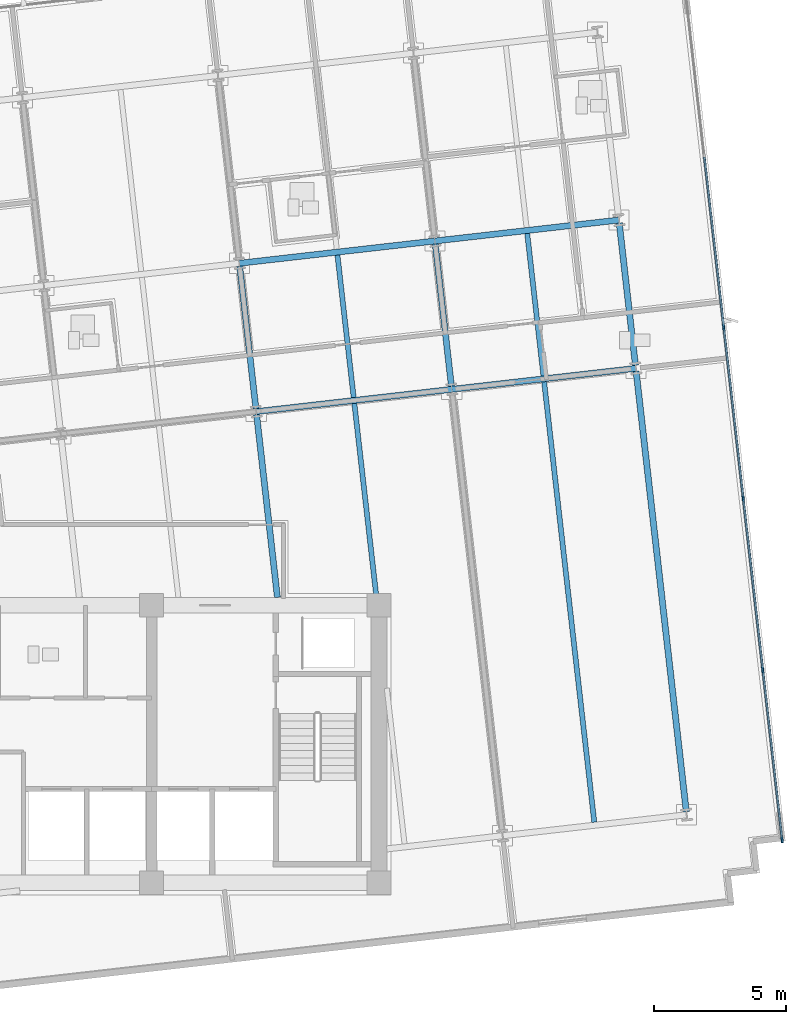
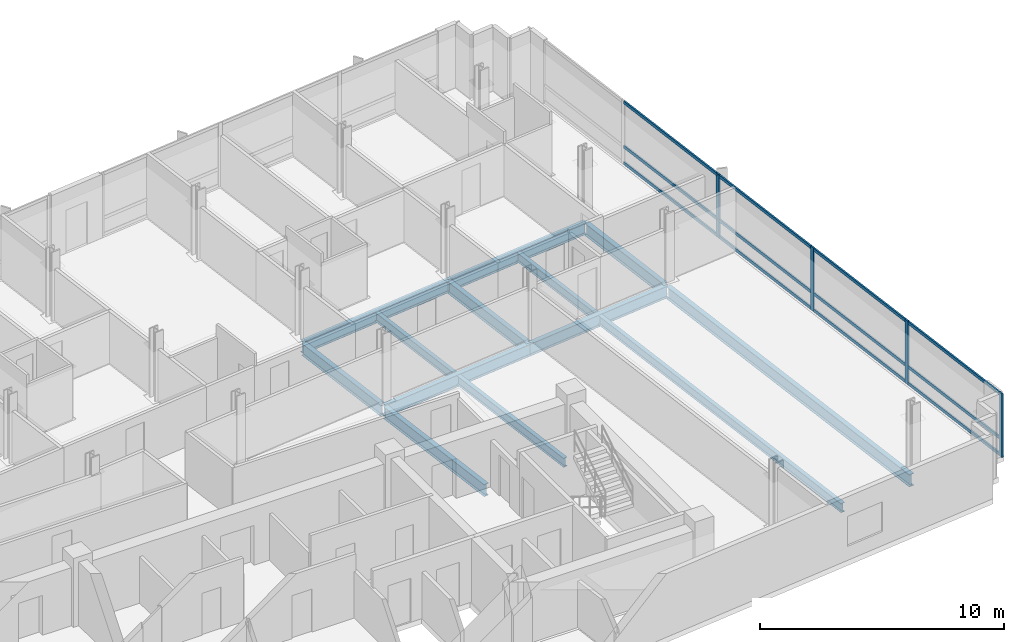
# One storey, part 4 of 17: 16 members, 13 beams, 1 element without a shape of its own.
"""IFC4 building model written with IfcOpenShell, lengths in metres."""

import ifcopenshell
import ifcopenshell.guid

model = None  # the IFC model being written
_history = None  # IfcOwnerHistory: only IFC2X3 demands one
_inside = {}  # id of a spatial element -> (the spatial element, [elements in it])
_under = {}  # id of a project, library or spatial element -> (it, [spatial elements below it])
_declared = {}  # id of a project -> (the project, [libraries it declares])
_typed = {}  # id of a type object -> (the type object, [elements of that type])
_made_of = {}  # id of a material, layer set ... -> (it, [elements and type objects made of it])


def new_model(schema):
    """Start an empty IFC model of exactly this schema.

    Asked for "IFC4X3", IfcOpenShell would pick the latest addendum, in which some entities
    have other attributes; the version numbers below select the first issue.
    IFC2X3 requires an IfcOwnerHistory on every rooted entity: one is made here for all.
    """
    global model, _history
    if schema == "IFC4X3":
        model = ifcopenshell.file(schema_version=(4, 3, 0, 0))
    else:
        model = ifcopenshell.file(schema=schema)
    _inside.clear()
    _under.clear()
    _declared.clear()
    _typed.clear()
    _made_of.clear()
    _history = None
    if model.schema == "IFC2X3":
        org = make("IfcOrganization", Name="unknown")
        user = make(
            "IfcPersonAndOrganization",
            ThePerson=make("IfcPerson", FamilyName="unknown"),
            TheOrganization=org,
        )
        app = make(
            "IfcApplication",
            ApplicationDeveloper=org,
            Version="unknown",
            ApplicationFullName="unknown",
            ApplicationIdentifier="unknown",
        )
        _history = make(
            "IfcOwnerHistory",
            OwningUser=user,
            OwningApplication=app,
            ChangeAction="ADDED",
            CreationDate=0,
        )
    return model


def make(cls, **values):
    """One entity of the class cls with the attributes given. An attribute that is None is left unset."""
    return model.create_entity(
        cls, **{name: value for name, value in values.items() if value is not None}
    )


def rooted(cls, **values):
    """An entity with a GlobalId (a new one), such as an element, a storey or a relation."""
    return make(cls, GlobalId=ifcopenshell.guid.new(), OwnerHistory=_history, **values)


def si_unit(unit_type, name, prefix=None):
    """IfcSIUnit, for example si_unit("LENGTHUNIT", "METRE", prefix="MILLI")."""
    return make("IfcSIUnit", UnitType=unit_type, Prefix=prefix, Name=name)


def assignment(units):
    """IfcUnitAssignment: the units of a project."""
    return None if units is None else make("IfcUnitAssignment", Units=units)


def point(xyz):
    """IfcCartesianPoint."""
    return None if xyz is None else make("IfcCartesianPoint", Coordinates=xyz)


def direction(xyz):
    """IfcDirection."""
    return None if xyz is None else make("IfcDirection", DirectionRatios=xyz)


def frame(location, z_axis=None, x_axis=None):
    """IfcAxis2Placement3D, a coordinate frame: its origin and axes. An axis left out is left unset."""
    return make(
        "IfcAxis2Placement3D",
        Location=point(location),
        Axis=direction(z_axis),
        RefDirection=direction(x_axis),
    )


def frame_2d(location, x_axis=None):
    """IfcAxis2Placement2D, a coordinate frame in the plane: its origin and x axis."""
    return make(
        "IfcAxis2Placement2D", Location=point(location), RefDirection=direction(x_axis)
    )


def origin():
    """The frame at (0, 0, 0) with its axes left unset."""
    return frame((0.0, 0.0, 0.0))


def origin_2d():
    """The frame at (0, 0) in the plane with its x axis left unset."""
    return frame_2d((0.0, 0.0))


def place(relative_to, where):
    """IfcLocalPlacement: puts the frame where relative to a parent placement (None: the world)."""
    return make(
        "IfcLocalPlacement", PlacementRelTo=relative_to, RelativePlacement=where
    )


def context(
    kind, dimensions, precision=None, world=None, true_north=None, identifier=None
):
    """IfcGeometricRepresentationContext, for example the 3D "Model" context."""
    return make(
        "IfcGeometricRepresentationContext",
        ContextIdentifier=identifier,
        ContextType=kind,
        CoordinateSpaceDimension=dimensions,
        Precision=precision,
        WorldCoordinateSystem=world,
        TrueNorth=true_north,
    )


def subcontext(parent, identifier, kind, view, scale=None):
    """IfcGeometricRepresentationSubContext, for example "Body" below "Model"."""
    return make(
        "IfcGeometricRepresentationSubContext",
        ContextIdentifier=identifier,
        ContextType=kind,
        ParentContext=parent,
        TargetScale=scale,
        TargetView=view,
    )


def project(units=None, contexts=None):
    """IfcProject with its units and contexts."""
    return rooted(
        "IfcProject",
        Name="project",
        RepresentationContexts=contexts,
        UnitsInContext=assignment(units),
    )


def spatial(cls, under=None, at=None, **own):
    """A site, building, storey or space (cls), placed at a placement, below another one or the project."""
    s = rooted(cls, ObjectPlacement=at, **own)
    if under is not None:
        _under.setdefault(under.id(), (under, []))[1].append(s)
    return s


def profile(cls, at=None, kind="AREA", **sizes):
    """A parametric profile (cls). Its sizes go by their IFC names, for example OverallWidth=200.0."""
    return make(cls, ProfileType=kind, Position=at, **sizes)


def rectangle(**sizes):
    """IfcRectangleProfileDef."""
    return profile("IfcRectangleProfileDef", **sizes)


def i_section(**sizes):
    """IfcIShapeProfileDef."""
    return profile("IfcIShapeProfileDef", **sizes)


def extrude(swept, where, along, depth):
    """IfcExtrudedAreaSolid: the profile swept, set in the frame where, extruded along a direction by depth."""
    return make(
        "IfcExtrudedAreaSolid",
        SweptArea=swept,
        Position=where,
        ExtrudedDirection=direction(along),
        Depth=depth,
    )


def shape(context_of_items, identifier, shape_type, items):
    """IfcShapeRepresentation: the items that make up one representation, for example the "Body"."""
    return make(
        "IfcShapeRepresentation",
        ContextOfItems=context_of_items,
        RepresentationIdentifier=identifier,
        RepresentationType=shape_type,
        Items=items,
    )


def material(Name=None, Category=None):
    """IfcMaterial."""
    return make("IfcMaterial", Name=Name, Category=Category)


def material_profile(
    of_material, cross_section, Name=None, Category=None, Priority=None
):
    """IfcMaterialProfile: a cross section and its material."""
    return make(
        "IfcMaterialProfile",
        Name=Name,
        Material=of_material,
        Profile=cross_section,
        Priority=Priority,
        Category=Category,
    )


def profile_set(profiles, Name=None, composite=None):
    """IfcMaterialProfileSet."""
    return make(
        "IfcMaterialProfileSet",
        Name=Name,
        MaterialProfiles=profiles,
        CompositeProfile=composite,
    )


def made_of(thing, what):
    """Note that an element or type object is made of a material, layer set ...; save() writes the relation."""
    if what is not None:
        _made_of.setdefault(what.id(), (what, []))[1].append(thing)
    return thing


def type_object(cls, material=None, **own):
    """A type object (cls), such as IfcWallType, which elements share."""
    return made_of(rooted(cls, **own), material)


def element(
    cls,
    number,
    at=None,
    inside=None,
    cuts=None,
    type_object=None,
    material=None,
    context=None,
    identifier="Body",
    shape_type=None,
    held_by="IfcProductDefinitionShape",
    body=None,
    shapes=None,
    **own,
):
    """One element of the class cls, such as IfcWall. Its Tag is "e" and its number.

    at: its placement. inside: the storey or other place that contains it. cuts: it is an
    opening in that element (IfcRelVoidsElement). A single representation is given by context,
    identifier, shape_type and body (its items); several are given by shapes. held_by: the class
    of the entity that holds the representations. save() writes the other relations.
    """
    e = rooted(cls, Tag="e%d" % number, ObjectPlacement=at, **own)
    if body is not None:
        shapes = [shape(context, identifier, shape_type, body)]
    if shapes is not None:
        e.Representation = make(held_by, Representations=shapes)
    if inside is not None:
        _inside.setdefault(inside.id(), (inside, []))[1].append(e)
    if cuts is not None:
        rooted(
            "IfcRelVoidsElement", RelatingBuildingElement=cuts, RelatedOpeningElement=e
        )
    if type_object is not None:
        _typed.setdefault(type_object.id(), (type_object, []))[1].append(e)
    return made_of(e, material)


def aggregate(whole, parts):
    """IfcRelAggregates: a whole, such as a stair, and the parts it consists of."""
    return rooted("IfcRelAggregates", RelatingObject=whole, RelatedObjects=parts)


def save(model, path):
    """Write the relations noted so far, then the file.

    IfcRelAggregates (storeys below a building ...), IfcRelContainedInSpatialStructure (elements
    in a storey), IfcRelDefinesByType, IfcRelAssociatesMaterial and IfcRelDeclares: one each for
    every whole, place, type object, material and project.
    """
    for whole, parts in _under.values():
        aggregate(whole, parts)
    for where, things in _inside.values():
        rooted(
            "IfcRelContainedInSpatialStructure",
            RelatedElements=things,
            RelatingStructure=where,
        )
    for kind, things in _typed.values():
        rooted("IfcRelDefinesByType", RelatedObjects=things, RelatingType=kind)
    for what, things in _made_of.values():
        rooted("IfcRelAssociatesMaterial", RelatedObjects=things, RelatingMaterial=what)
    for by, libraries in _declared.values():
        rooted("IfcRelDeclares", RelatingContext=by, RelatedDefinitions=libraries)
    model.write(path)


model = new_model("IFC4")

# Units and contexts
model_context = context("Model", 3, precision=1e-05, world=origin(), true_north=direction((0.0, 1.0)))
body_context = subcontext(model_context, "Body", "Model", "MODEL_VIEW")
ifc_project = project(units=[si_unit("LENGTHUNIT", "METRE"), si_unit("AREAUNIT", "SQUARE_METRE"), si_unit("VOLUMEUNIT", "CUBIC_METRE"), si_unit("PLANEANGLEUNIT", "RADIAN"), si_unit("MASSUNIT", "GRAM", prefix="KILO")], contexts=[model_context])

# Site, building, storey
site_placement = place(None, origin())
site = spatial("IfcSite", under=ifc_project, at=site_placement, CompositionType="ELEMENT")
building_placement = place(site_placement, origin())
building = spatial("IfcBuilding", under=site, at=building_placement, Name="Solmavex Isthmus Hotel", CompositionType="ELEMENT")
storey_placement = place(building_placement, frame((0.0, 0.0, 195.14990234375)))
storey = spatial("IfcBuildingStorey", under=building, at=storey_placement, Name="L52", CompositionType="ELEMENT", Elevation=195.14990234375)

# Beams
ifc_material_1 = material(Name="Steel ASTM A992 Grade 50", Category="steel")
ifc_material_profile_1 = material_profile(ifc_material_1, i_section(OverallWidth=0.1904296875, OverallDepth=0.456787109375, WebThickness=0.009033203125, FlangeThickness=0.014404296875, FilletRadius=0.0126953125, at=origin_2d()), Name="W18X50")
ifc_profile_set_1 = profile_set([ifc_material_profile_1], Name="Steel ASTM A992 Grade 50")
beam_type_1 = type_object("IfcBeamType", Name="BM-BJ-W18X50", PredefinedType="JOIST", material=ifc_profile_set_1)
beam_1_placement = place(storey_placement, frame((15.908447265625, -2.199951171875, -0.48828125), z_axis=(-0.113224925382, 0.99356938171, 0.0), x_axis=(-0.99356938171, -0.113224925382, 0.0)))
element("IfcBeam", 1, at=beam_1_placement, inside=storey, type_object=beam_type_1, Name="Secondary Floor Joist L52-J16", PredefinedType="JOIST", context=body_context, shape_type="SweptSolid", body=[
    extrude(i_section(OverallWidth=0.1904296875, OverallDepth=0.456787109375, WebThickness=0.009033203125, FlangeThickness=0.014404296875, FilletRadius=0.0126953125, at=origin_2d()), origin(), (0.0, 0.0, 1.0), 7.38525390625),
])
beam_2_placement = place(storey_placement, frame((15.046630859375, 5.364013671875, -0.48828125), z_axis=(-0.113189626161, 0.993573403695, 0.0), x_axis=(-0.993573403695, -0.113189626161, 0.0)))
element("IfcBeam", 2, at=beam_2_placement, inside=storey, type_object=beam_type_1, Name="Secondary Floor Joist L52-J17", PredefinedType="JOIST", context=body_context, shape_type="SweptSolid", body=[
    extrude(i_section(OverallWidth=0.1904296875, OverallDepth=0.456787109375, WebThickness=0.009033203125, FlangeThickness=0.014404296875, FilletRadius=0.0126953125, at=origin_2d()), origin(), (0.0, 0.0, 1.0), 5.42041015625),
])
beam_3_placement = place(storey_placement, frame((24.1513671875, -10.707275390625, -0.48828125), z_axis=(-0.113198426291, 0.993572401129, 0.0), x_axis=(-0.993572401129, -0.113198426291, 0.0)))
element("IfcBeam", 3, at=beam_3_placement, inside=storey, type_object=beam_type_1, Name="Secondary Floor Joist L52-J19", PredefinedType="JOIST", context=body_context, shape_type="SweptSolid", body=[
    extrude(i_section(OverallWidth=0.1904296875, OverallDepth=0.456787109375, WebThickness=0.009033203125, FlangeThickness=0.014404296875, FilletRadius=0.0126953125, at=origin_2d()), origin(), (0.0, 0.0, 1.0), 16.77099609375),
])
beam_4_placement = place(storey_placement, frame((22.22705078125, 6.18212890625, -0.48828125), z_axis=(-0.113189626161, 0.993573403695, 0.0), x_axis=(-0.993573403695, -0.113189626161, 0.0)))
element("IfcBeam", 4, at=beam_4_placement, inside=storey, type_object=beam_type_1, Name="Secondary Floor Joist L52-J20", PredefinedType="JOIST", context=body_context, shape_type="SweptSolid", body=[
    extrude(i_section(OverallWidth=0.1904296875, OverallDepth=0.456787109375, WebThickness=0.009033203125, FlangeThickness=0.014404296875, FilletRadius=0.0126953125, at=origin_2d()), origin(), (0.0, 0.0, 1.0), 5.42041015625),
])
ifc_material_profile_2 = material_profile(ifc_material_1, i_section(OverallWidth=0.227783203125, OverallDepth=0.602783203125, WebThickness=0.010498046875, FlangeThickness=0.014892578125, FilletRadius=0.01513671875, at=origin_2d()), Name="W24X68")
ifc_profile_set_2 = profile_set([ifc_material_profile_2], Name="Steel ASTM A992 Grade 50")
beam_type_2 = type_object("IfcBeamType", Name="BM-BM-W24X68", PredefinedType="BEAM", material=ifc_profile_set_2)
beam_5_placement = place(storey_placement, frame((11.3603515625, 4.829345703125, -0.561279296875), z_axis=(0.9935703463, 0.113216460607, 0.0), x_axis=(-0.113216460607, 0.9935703463, 0.0)))
element("IfcBeam", 5, at=beam_5_placement, inside=storey, type_object=beam_type_2, Name="Floor Girder L52-UG10", PredefinedType="BEAM", context=body_context, shape_type="SweptSolid", body=[
    extrude(i_section(OverallWidth=0.227783203125, OverallDepth=0.602783203125, WebThickness=0.010498046875, FlangeThickness=0.014892578125, FilletRadius=0.01513671875, at=origin_2d()), origin(), (0.0, 0.0, 1.0), 7.446044921875),
])
beam_6_placement = place(storey_placement, frame((18.758544921875, 5.67236328125, -0.561279296875), z_axis=(0.99357359356, 0.113187959519, 0.0), x_axis=(-0.113187959519, 0.99357359356, 0.0)))
element("IfcBeam", 6, at=beam_6_placement, inside=storey, type_object=beam_type_2, Name="Floor Girder L52-UG11", PredefinedType="BEAM", context=body_context, shape_type="SweptSolid", body=[
    extrude(i_section(OverallWidth=0.227783203125, OverallDepth=0.602783203125, WebThickness=0.010498046875, FlangeThickness=0.014892578125, FilletRadius=0.01513671875, at=origin_2d()), origin(), (0.0, 0.0, 1.0), 7.0078125),
])
beam_7_placement = place(storey_placement, frame((10.720947265625, 10.441162109375, -0.561279296875), z_axis=(0.993574034044, 0.113184092846, 0.0), x_axis=(-0.113184092846, 0.993574034044, 0.0)))
element("IfcBeam", 7, at=beam_7_placement, inside=storey, type_object=beam_type_2, Name="Floor Girder L52-UG16", PredefinedType="BEAM", context=body_context, shape_type="SweptSolid", body=[
    extrude(i_section(OverallWidth=0.227783203125, OverallDepth=0.602783203125, WebThickness=0.010498046875, FlangeThickness=0.014892578125, FilletRadius=0.01513671875, at=origin_2d()), origin(), (0.0, 0.0, 1.0), 7.446044921875),
])
beam_8_placement = place(storey_placement, frame((18.119140625, 11.283935546875, -0.561279296875), z_axis=(0.993569675103, 0.113222350774, 0.0), x_axis=(-0.113222350774, 0.993569675103, 0.0)))
element("IfcBeam", 8, at=beam_8_placement, inside=storey, type_object=beam_type_2, Name="Floor Girder L52-UG17", PredefinedType="BEAM", context=body_context, shape_type="SweptSolid", body=[
    extrude(i_section(OverallWidth=0.227783203125, OverallDepth=0.602783203125, WebThickness=0.010498046875, FlangeThickness=0.014892578125, FilletRadius=0.01513671875, at=origin_2d()), origin(), (0.0, 0.0, 1.0), 7.008056640625),
])
beam_9_placement = place(storey_placement, frame((12.161376953125, -2.199951171875, -0.561279296875), z_axis=(-0.113214229187, 0.993570600566, 0.0), x_axis=(-0.993570600566, -0.113214229187, 0.0)))
element("IfcBeam", 9, at=beam_9_placement, inside=storey, type_object=beam_type_2, Name="Floor Beam L52-VG37", PredefinedType="BEAM", context=body_context, shape_type="SweptSolid", body=[
    extrude(i_section(OverallWidth=0.227783203125, OverallDepth=0.602783203125, WebThickness=0.010498046875, FlangeThickness=0.014892578125, FilletRadius=0.01513671875, at=origin_2d()), origin(), (0.0, 0.0, 1.0), 6.9609375),
])
beam_10_placement = place(storey_placement, frame((11.347412109375, 4.942626953125, -0.561279296875), z_axis=(-0.113194691868, 0.993572826587, 0.0), x_axis=(-0.993572826587, -0.113194691868, 0.0)))
element("IfcBeam", 10, at=beam_10_placement, inside=storey, type_object=beam_type_2, Name="Floor Beam L52-VG38", PredefinedType="BEAM", context=body_context, shape_type="SweptSolid", body=[
    extrude(i_section(OverallWidth=0.227783203125, OverallDepth=0.602783203125, WebThickness=0.010498046875, FlangeThickness=0.014892578125, FilletRadius=0.01513671875, at=origin_2d()), origin(), (0.0, 0.0, 1.0), 5.420166015625),
])
beam_11_placement = place(storey_placement, frame((18.74560546875, 5.785400390625, -0.561279296875), z_axis=(-0.113189626161, 0.993573403695, 0.0), x_axis=(-0.993573403695, -0.113189626161, 0.0)))
element("IfcBeam", 11, at=beam_11_placement, inside=storey, type_object=beam_type_2, Name="Floor Beam L52-VG41", PredefinedType="BEAM", context=body_context, shape_type="SweptSolid", body=[
    extrude(i_section(OverallWidth=0.227783203125, OverallDepth=0.602783203125, WebThickness=0.010498046875, FlangeThickness=0.014892578125, FilletRadius=0.01513671875, at=origin_2d()), origin(), (0.0, 0.0, 1.0), 5.42041015625),
])
ifc_material_profile_3 = material_profile(ifc_material_1, i_section(OverallWidth=0.230224609375, OverallDepth=0.617431640625, WebThickness=0.01318359375, FlangeThickness=0.022216796875, FilletRadius=0.01513671875, at=origin_2d()), Name="W24X94")
ifc_profile_set_3 = profile_set([ifc_material_profile_3], Name="Steel ASTM A992 Grade 50")
beam_type_3 = type_object("IfcBeamType", Name="BM-SP-W24X94", PredefinedType="SPANDREL", material=ifc_profile_set_3)
beam_12_placement = place(storey_placement, frame((27.6328125, -10.310546875, -0.568603515625), z_axis=(-0.113198426291, 0.993572401129, 0.0), x_axis=(-0.993572401129, -0.113198426291, 0.0)))
element("IfcBeam", 12, at=beam_12_placement, inside=storey, type_object=beam_type_3, Name="Floor Beam L52-VG43", PredefinedType="SPANDREL", context=body_context, shape_type="SweptSolid", body=[
    extrude(i_section(OverallWidth=0.230224609375, OverallDepth=0.617431640625, WebThickness=0.01318359375, FlangeThickness=0.022216796875, FilletRadius=0.01513671875, at=origin_2d()), origin(), (0.0, 0.0, 1.0), 16.77099609375),
])
beam_13_placement = place(storey_placement, frame((25.70849609375, 6.578857421875, -0.568603515625), z_axis=(-0.113194691868, 0.993572826587, 0.0), x_axis=(-0.993572826587, -0.113194691868, 0.0)))
element("IfcBeam", 13, at=beam_13_placement, inside=storey, type_object=beam_type_3, Name="Floor Beam L52-VG44", PredefinedType="SPANDREL", context=body_context, shape_type="SweptSolid", body=[
    extrude(i_section(OverallWidth=0.230224609375, OverallDepth=0.617431640625, WebThickness=0.01318359375, FlangeThickness=0.022216796875, FilletRadius=0.01513671875, at=origin_2d()), origin(), (0.0, 0.0, 1.0), 5.420166015625),
])

# Curtain wall, members
ifc_material_2 = material(Name="Aluminium alloy 6063-T6", Category="aluminium")
curtain_wall_type = type_object("IfcCurtainWallType", Name="CW-SYS-04", PredefinedType="NOTDEFINED", material=ifc_material_2)
curtain_wall_placement = place(storey_placement, origin())
curtain_wall = element("IfcCurtainWall", 14, at=curtain_wall_placement, inside=storey, type_object=curtain_wall_type, Name="Stick Curtain Wall CWL-L52-E1", PredefinedType="NOTDEFINED")
ifc_material_profile_4 = material_profile(ifc_material_2, rectangle(XDim=0.074951171875, YDim=0.199951171875, at=origin_2d()), Name="CWM-75X200")
ifc_profile_set_4 = profile_set([ifc_material_profile_4], Name="Aluminium alloy 6063-T6")
member_type_1 = type_object("IfcMemberType", Name="CW-SYS-04-MUL", PredefinedType="MULLION", material=ifc_profile_set_4)
member_1_placement = place(storey_placement, frame((31.2578125, -11.384765625, 0.0), z_axis=(0.0, 0.0, 1.0), x_axis=(-0.993571836648, -0.11320338078, 0.0)))
member_1 = element("IfcMember", 15, at=member_1_placement, type_object=member_type_1, Name="CW-04 mullion 1", PredefinedType="MULLION", context=body_context, shape_type="SweptSolid", body=[
    extrude(rectangle(XDim=0.074951171875, YDim=0.199951171875, at=origin_2d()), origin(), (0.0, 0.0, 1.0), 3.190185546875),
])
member_2_placement = place(storey_placement, frame((30.52392578125, -4.944091796875, 0.0), z_axis=(0.0, 0.0, 1.0), x_axis=(-0.993571836648, -0.11320338078, 0.0)))
member_2 = element("IfcMember", 16, at=member_2_placement, type_object=member_type_1, Name="CW-04 mullion 2", PredefinedType="MULLION", context=body_context, shape_type="SweptSolid", body=[
    extrude(rectangle(XDim=0.074951171875, YDim=0.199951171875, at=origin_2d()), origin(), (0.0, 0.0, 1.0), 3.190185546875),
])
member_3_placement = place(storey_placement, frame((29.785888671875, 1.533935546875, 0.0), z_axis=(0.0, 0.0, 1.0), x_axis=(-0.993571836648, -0.11320338078, 0.0)))
member_3 = element("IfcMember", 17, at=member_3_placement, type_object=member_type_1, Name="CW-04 mullion 3", PredefinedType="MULLION", context=body_context, shape_type="SweptSolid", body=[
    extrude(rectangle(XDim=0.074951171875, YDim=0.199951171875, at=origin_2d()), origin(), (0.0, 0.0, 1.0), 3.190185546875),
])
member_4_placement = place(storey_placement, frame((29.0478515625, 8.01220703125, 0.0), z_axis=(0.0, 0.0, 1.0), x_axis=(-0.993571836648, -0.11320338078, 0.0)))
member_4 = element("IfcMember", 18, at=member_4_placement, type_object=member_type_1, Name="CW-04 mullion 4", PredefinedType="MULLION", context=body_context, shape_type="SweptSolid", body=[
    extrude(rectangle(XDim=0.074951171875, YDim=0.199951171875, at=origin_2d()), origin(), (0.0, 0.0, 1.0), 3.190185546875),
])
ifc_material_profile_5 = material_profile(ifc_material_2, rectangle(XDim=0.074951171875, YDim=0.14990234375, at=origin_2d()), Name="CWT-75X150")
ifc_profile_set_5 = profile_set([ifc_material_profile_5], Name="Aluminium alloy 6063-T6")
member_type_2 = type_object("IfcMemberType", Name="CW-SYS-04-TRN", PredefinedType="USERDEFINED", material=ifc_profile_set_5)
member_5_placement = place(storey_placement, frame((31.253662109375, -11.34765625, 0.0751953125), z_axis=(-0.113199495412, 0.993572279323, 0.0), x_axis=(-0.993572279323, -0.113199495412, 0.0)))
member_5 = element("IfcMember", 19, at=member_5_placement, type_object=member_type_2, Name="CW-04 transom 1.1", ObjectType="TRANSOM", PredefinedType="USERDEFINED", context=body_context, shape_type="SweptSolid", body=[
    extrude(rectangle(XDim=0.074951171875, YDim=0.14990234375, at=origin_2d()), origin(), (0.0, 0.0, 1.0), 6.40771484375),
])
member_6_placement = place(storey_placement, frame((31.253662109375, -11.34765625, 0.900146484375), z_axis=(-0.113199495412, 0.993572279323, 0.0), x_axis=(-0.993572279323, -0.113199495412, 0.0)))
member_6 = element("IfcMember", 20, at=member_6_placement, type_object=member_type_2, Name="CW-04 transom 1.2", ObjectType="TRANSOM", PredefinedType="USERDEFINED", context=body_context, shape_type="SweptSolid", body=[
    extrude(rectangle(XDim=0.074951171875, YDim=0.14990234375, at=origin_2d()), origin(), (0.0, 0.0, 1.0), 6.40771484375),
])
member_7_placement = place(storey_placement, frame((31.253662109375, -11.34765625, 3.114990234375), z_axis=(-0.113199495412, 0.993572279323, 0.0), x_axis=(-0.993572279323, -0.113199495412, 0.0)))
member_7 = element("IfcMember", 21, at=member_7_placement, type_object=member_type_2, Name="CW-04 transom 1.3", ObjectType="TRANSOM", PredefinedType="USERDEFINED", context=body_context, shape_type="SweptSolid", body=[
    extrude(rectangle(XDim=0.074951171875, YDim=0.14990234375, at=origin_2d()), origin(), (0.0, 0.0, 1.0), 6.40771484375),
])
member_8_placement = place(storey_placement, frame((30.519775390625, -4.90673828125, 0.0751953125), z_axis=(-0.113225012477, 0.993569371785, 0.0), x_axis=(-0.993569371785, -0.113225012477, 0.0)))
member_8 = element("IfcMember", 22, at=member_8_placement, type_object=member_type_2, Name="CW-04 transom 2.1", ObjectType="TRANSOM", PredefinedType="USERDEFINED", context=body_context, shape_type="SweptSolid", body=[
    extrude(rectangle(XDim=0.074951171875, YDim=0.14990234375, at=origin_2d()), origin(), (0.0, 0.0, 1.0), 6.445068359375),
])
member_9_placement = place(storey_placement, frame((30.519775390625, -4.90673828125, 0.900146484375), z_axis=(-0.113225012477, 0.993569371785, 0.0), x_axis=(-0.993569371785, -0.113225012477, 0.0)))
member_9 = element("IfcMember", 23, at=member_9_placement, type_object=member_type_2, Name="CW-04 transom 2.2", ObjectType="TRANSOM", PredefinedType="USERDEFINED", context=body_context, shape_type="SweptSolid", body=[
    extrude(rectangle(XDim=0.074951171875, YDim=0.14990234375, at=origin_2d()), origin(), (0.0, 0.0, 1.0), 6.445068359375),
])
member_10_placement = place(storey_placement, frame((30.519775390625, -4.90673828125, 3.114990234375), z_axis=(-0.113225012477, 0.993569371785, 0.0), x_axis=(-0.993569371785, -0.113225012477, 0.0)))
member_10 = element("IfcMember", 24, at=member_10_placement, type_object=member_type_2, Name="CW-04 transom 2.3", ObjectType="TRANSOM", PredefinedType="USERDEFINED", context=body_context, shape_type="SweptSolid", body=[
    extrude(rectangle(XDim=0.074951171875, YDim=0.14990234375, at=origin_2d()), origin(), (0.0, 0.0, 1.0), 6.445068359375),
])
member_11_placement = place(storey_placement, frame((29.78173828125, 1.5712890625, 0.0751953125), z_axis=(-0.113225012477, 0.993569371785, 0.0), x_axis=(-0.993569371785, -0.113225012477, 0.0)))
member_11 = element("IfcMember", 25, at=member_11_placement, type_object=member_type_2, Name="CW-04 transom 3.1", ObjectType="TRANSOM", PredefinedType="USERDEFINED", context=body_context, shape_type="SweptSolid", body=[
    extrude(rectangle(XDim=0.074951171875, YDim=0.14990234375, at=origin_2d()), origin(), (0.0, 0.0, 1.0), 6.445068359375),
])
member_12_placement = place(storey_placement, frame((29.78173828125, 1.5712890625, 0.900146484375), z_axis=(-0.113225012477, 0.993569371785, 0.0), x_axis=(-0.993569371785, -0.113225012477, 0.0)))
member_12 = element("IfcMember", 26, at=member_12_placement, type_object=member_type_2, Name="CW-04 transom 3.2", ObjectType="TRANSOM", PredefinedType="USERDEFINED", context=body_context, shape_type="SweptSolid", body=[
    extrude(rectangle(XDim=0.074951171875, YDim=0.14990234375, at=origin_2d()), origin(), (0.0, 0.0, 1.0), 6.445068359375),
])
member_13_placement = place(storey_placement, frame((29.78173828125, 1.5712890625, 3.114990234375), z_axis=(-0.113225012477, 0.993569371785, 0.0), x_axis=(-0.993569371785, -0.113225012477, 0.0)))
member_13 = element("IfcMember", 27, at=member_13_placement, type_object=member_type_2, Name="CW-04 transom 3.3", ObjectType="TRANSOM", PredefinedType="USERDEFINED", context=body_context, shape_type="SweptSolid", body=[
    extrude(rectangle(XDim=0.074951171875, YDim=0.14990234375, at=origin_2d()), origin(), (0.0, 0.0, 1.0), 6.445068359375),
])
member_14_placement = place(storey_placement, frame((29.04345703125, 8.04931640625, 0.0751953125), z_axis=(-0.113187617296, 0.993573632546, 0.0), x_axis=(-0.993573632546, -0.113187617296, 0.0)))
member_14 = element("IfcMember", 28, at=member_14_placement, type_object=member_type_2, Name="CW-04 transom 4.1", ObjectType="TRANSOM", PredefinedType="USERDEFINED", context=body_context, shape_type="SweptSolid", body=[
    extrude(rectangle(XDim=0.074951171875, YDim=0.14990234375, at=origin_2d()), origin(), (0.0, 0.0, 1.0), 6.445068359375),
])
member_15_placement = place(storey_placement, frame((29.04345703125, 8.04931640625, 0.900146484375), z_axis=(-0.113187617296, 0.993573632546, 0.0), x_axis=(-0.993573632546, -0.113187617296, 0.0)))
member_15 = element("IfcMember", 29, at=member_15_placement, type_object=member_type_2, Name="CW-04 transom 4.2", ObjectType="TRANSOM", PredefinedType="USERDEFINED", context=body_context, shape_type="SweptSolid", body=[
    extrude(rectangle(XDim=0.074951171875, YDim=0.14990234375, at=origin_2d()), origin(), (0.0, 0.0, 1.0), 6.445068359375),
])
member_16_placement = place(storey_placement, frame((29.04345703125, 8.04931640625, 3.114990234375), z_axis=(-0.113187617296, 0.993573632546, 0.0), x_axis=(-0.993573632546, -0.113187617296, 0.0)))
member_16 = element("IfcMember", 30, at=member_16_placement, type_object=member_type_2, Name="CW-04 transom 4.3", ObjectType="TRANSOM", PredefinedType="USERDEFINED", context=body_context, shape_type="SweptSolid", body=[
    extrude(rectangle(XDim=0.074951171875, YDim=0.14990234375, at=origin_2d()), origin(), (0.0, 0.0, 1.0), 6.445068359375),
])
aggregate(curtain_wall, [member_1, member_2, member_3, member_4, member_5, member_6, member_7, member_8, member_9, member_10, member_11, member_12, member_13, member_14, member_15, member_16])

save(model, "model.ifc")
